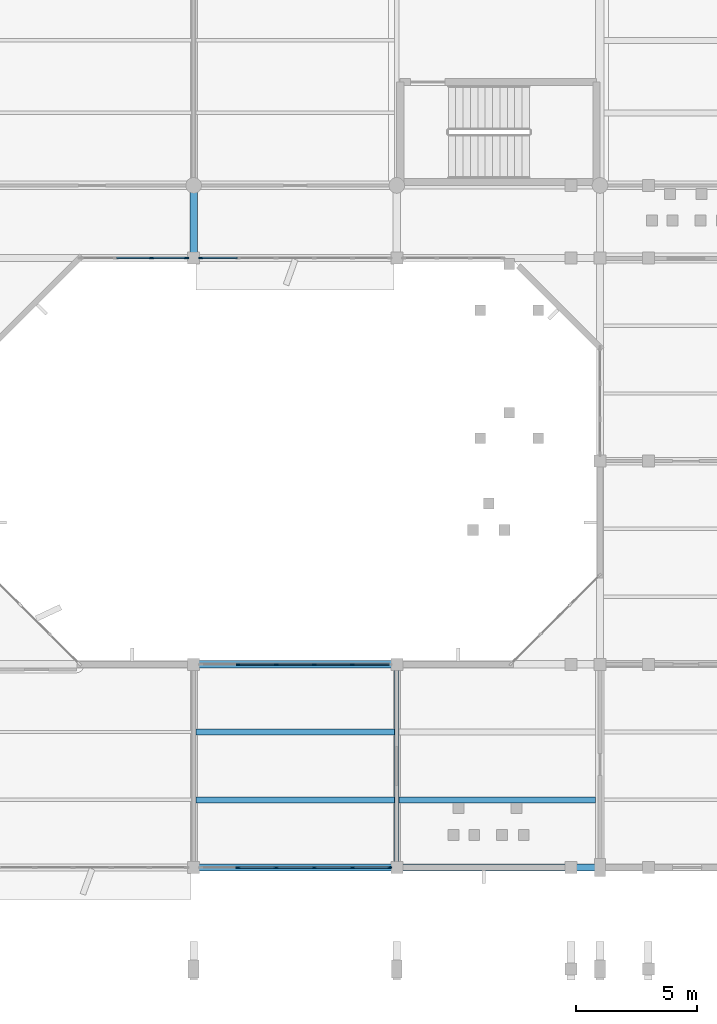
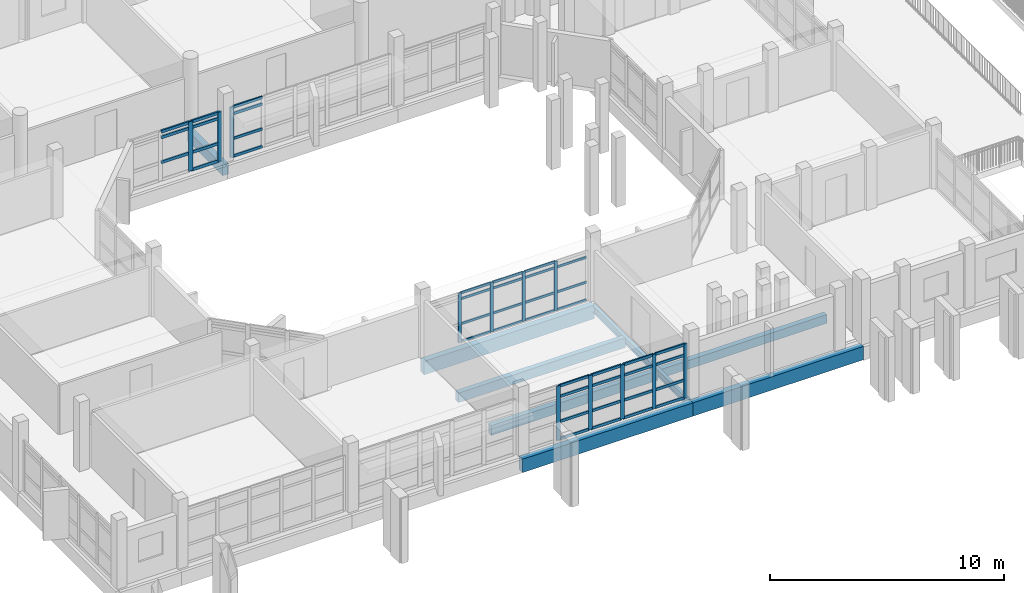
# One storey, part 18 of 104: 54 members, 8 beams, 4 elements without a shape of their own.
"""IFC4 building model written with IfcOpenShell, lengths in metres."""

from ifc_helpers import new_model, si_unit, direction, frame, origin, origin_2d, place, context, subcontext, project, spatial, rectangle, i_section, extrude, material, material_profile, profile_set, type_object, element, aggregate, save


model = new_model("IFC4")

# Units and contexts
model_context = context("Model", 3, precision=1e-05, world=origin(), true_north=direction((0.0, 1.0)))
body_context = subcontext(model_context, "Body", "Model", "MODEL_VIEW")
ifc_project = project(units=[si_unit("LENGTHUNIT", "METRE"), si_unit("AREAUNIT", "SQUARE_METRE"), si_unit("VOLUMEUNIT", "CUBIC_METRE"), si_unit("PLANEANGLEUNIT", "RADIAN"), si_unit("MASSUNIT", "GRAM", prefix="KILO")], contexts=[model_context])

# Site, building, storey
site_placement = place(None, origin())
site = spatial("IfcSite", under=ifc_project, at=site_placement, CompositionType="ELEMENT")
building_placement = place(site_placement, origin())
building = spatial("IfcBuilding", under=site, at=building_placement, Name="Vanh Quang Courtyard School", CompositionType="ELEMENT")
storey_placement = place(building_placement, frame((0.0, 0.0, 4.199951171875)))
storey = spatial("IfcBuildingStorey", under=building, at=storey_placement, Name="L01", CompositionType="ELEMENT", Elevation=4.199951171875)

# Beams
ifc_material_1 = material(Name="Concrete C35/45", Category="concrete")
ifc_material_profile_1 = material_profile(ifc_material_1, rectangle(XDim=0.300048828125, YDim=0.550048828125, at=origin_2d()), Name="RC-BM 300x550")
ifc_profile_set_1 = profile_set([ifc_material_profile_1], Name="Concrete C35/45")
beam_type_1 = type_object("IfcBeamType", Name="BM-RC-300x550", PredefinedType="BEAM", material=ifc_profile_set_1)
beam_1_placement = place(storey_placement, frame((94.199951171875, 29.39990234375, -0.554931640625), z_axis=(0.0, 1.0, 0.0), x_axis=(-1.0, 0.0, 0.0)))
element("IfcBeam", 1, at=beam_1_placement, inside=storey, type_object=beam_type_1, Name="Beam B-07 (L01)", PredefinedType="BEAM", context=body_context, shape_type="SweptSolid", body=[
    extrude(rectangle(XDim=0.300048828125, YDim=0.550048828125, at=origin_2d()), origin(), (0.0, 0.0, 1.0), 3.0),
])
ifc_material_profile_2 = material_profile(ifc_material_1, rectangle(XDim=0.300048828125, YDim=0.699951171875, at=origin_2d()), Name="RC-SP 300x700")
ifc_profile_set_2 = profile_set([ifc_material_profile_2], Name="Concrete C35/45")
beam_type_2 = type_object("IfcBeamType", Name="BM-SP-300x700", PredefinedType="SPANDREL", material=ifc_profile_set_2)
beam_2_placement = place(storey_placement, frame((94.199951171875, 4.199951171875, -0.6298828125), z_axis=(1.0, 0.0, 0.0), x_axis=(0.0, 1.0, 0.0)))
element("IfcBeam", 2, at=beam_2_placement, inside=storey, type_object=beam_type_2, Name="Beam BS-01 (L01)", PredefinedType="SPANDREL", context=body_context, shape_type="SweptSolid", body=[
    extrude(rectangle(XDim=0.300048828125, YDim=0.699951171875, at=origin_2d()), origin(), (0.0, 0.0, 1.0), 8.400146484375),
])
beam_3_placement = place(storey_placement, frame((102.60009765625, 4.199951171875, -0.6298828125), z_axis=(1.0, 0.0, 0.0), x_axis=(0.0, 1.0, 0.0)))
element("IfcBeam", 3, at=beam_3_placement, inside=storey, type_object=beam_type_2, Name="Beam BS-01 (L01)", PredefinedType="SPANDREL", context=body_context, shape_type="SweptSolid", body=[
    extrude(rectangle(XDim=0.300048828125, YDim=0.699951171875, at=origin_2d()), origin(), (0.0, 0.0, 1.0), 8.39990234375),
])
beam_4_placement = place(storey_placement, frame((94.199951171875, 12.60009765625, -0.6298828125), z_axis=(1.0, 0.0, 0.0), x_axis=(0.0, 1.0, 0.0)))
element("IfcBeam", 4, at=beam_4_placement, inside=storey, type_object=beam_type_2, Name="Beam BS-01 (L01)", PredefinedType="SPANDREL", context=body_context, shape_type="SweptSolid", body=[
    extrude(rectangle(XDim=0.300048828125, YDim=0.699951171875, at=origin_2d()), origin(), (0.0, 0.0, 1.0), 8.400146484375),
])
ifc_material_2 = material(Name="Structural steel EN 10025-2 S355J2", Category="steel")
ifc_material_profile_3 = material_profile(ifc_material_2, i_section(OverallWidth=0.169921875, OverallDepth=0.360107421875, WebThickness=0.008056640625, FlangeThickness=0.0126953125, FilletRadius=0.01806640625, at=origin_2d()), Name="IPE 360")
ifc_profile_set_3 = profile_set([ifc_material_profile_3], Name="Structural steel EN 10025-2 S355J2")
beam_type_3 = type_object("IfcBeamType", Name="BM-STL-IPE360", PredefinedType="BEAM", material=ifc_profile_set_3)
beam_5_placement = place(storey_placement, frame((102.60009765625, 4.199951171875, -0.4599609375), z_axis=(0.0, 1.0, 0.0), x_axis=(-1.0, 0.0, 0.0)))
element("IfcBeam", 5, at=beam_5_placement, inside=storey, type_object=beam_type_3, Name="Beam SB-06 (L01)", PredefinedType="BEAM", context=body_context, shape_type="SweptSolid", body=[
    extrude(i_section(OverallWidth=0.169921875, OverallDepth=0.360107421875, WebThickness=0.008056640625, FlangeThickness=0.0126953125, FilletRadius=0.01806640625, at=origin_2d()), origin(), (0.0, 0.0, 1.0), 8.400146484375),
])

# Curtain wall, members
ifc_material_3 = material(Name="Thermally broken aluminium unitised curtain wall", Category="aluminium")
curtain_wall_type_1 = type_object("IfcCurtainWallType", Name="CW-SYS-19", PredefinedType="NOTDEFINED", material=ifc_material_3)
curtain_wall_1_placement = place(storey_placement, origin())
curtain_wall_1 = element("IfcCurtainWall", 6, at=curtain_wall_1_placement, inside=storey, type_object=curtain_wall_type_1, Name="Curtain Wall CW-19 (L01)", PredefinedType="NOTDEFINED")
ifc_material_4 = material(Name="Anodised aluminium 6063-T6", Category="aluminium")
ifc_material_profile_4 = material_profile(ifc_material_4, rectangle(XDim=0.06005859375, YDim=0.159912109375, at=origin_2d()), Name="ALU-MUL 60x160")
ifc_profile_set_4 = profile_set([ifc_material_profile_4], Name="Anodised aluminium 6063-T6")
member_type_1 = type_object("IfcMemberType", Name="CW-MUL-60x160", PredefinedType="MULLION", material=ifc_profile_set_4)
member_1_placement = place(storey_placement, frame((96.034912109375, 12.60009765625, 0.0), z_axis=(0.0, 0.0, 1.0), x_axis=(0.0, 1.0, 0.0)))
member_1 = element("IfcMember", 7, at=member_1_placement, type_object=member_type_1, Name="CW-19 mullion 2", PredefinedType="MULLION", context=body_context, shape_type="SweptSolid", body=[
    extrude(rectangle(XDim=0.06005859375, YDim=0.159912109375, at=origin_2d()), origin(), (0.0, 0.0, 1.0), 2.580078125),
])
member_2_placement = place(storey_placement, frame((97.611572265625, 12.60009765625, 0.0), z_axis=(0.0, 0.0, 1.0), x_axis=(0.0, 1.0, 0.0)))
member_2 = element("IfcMember", 8, at=member_2_placement, type_object=member_type_1, Name="CW-19 mullion 3", PredefinedType="MULLION", context=body_context, shape_type="SweptSolid", body=[
    extrude(rectangle(XDim=0.06005859375, YDim=0.159912109375, at=origin_2d()), origin(), (0.0, 0.0, 1.0), 2.580078125),
])
member_3_placement = place(storey_placement, frame((99.1884765625, 12.60009765625, 0.0), z_axis=(0.0, 0.0, 1.0), x_axis=(0.0, 1.0, 0.0)))
member_3 = element("IfcMember", 9, at=member_3_placement, type_object=member_type_1, Name="CW-19 mullion 4", PredefinedType="MULLION", context=body_context, shape_type="SweptSolid", body=[
    extrude(rectangle(XDim=0.06005859375, YDim=0.159912109375, at=origin_2d()), origin(), (0.0, 0.0, 1.0), 2.580078125),
])
member_4_placement = place(storey_placement, frame((100.76513671875, 12.60009765625, 0.0), z_axis=(0.0, 0.0, 1.0), x_axis=(0.0, 1.0, 0.0)))
member_4 = element("IfcMember", 10, at=member_4_placement, type_object=member_type_1, Name="CW-19 mullion 5", PredefinedType="MULLION", context=body_context, shape_type="SweptSolid", body=[
    extrude(rectangle(XDim=0.06005859375, YDim=0.159912109375, at=origin_2d()), origin(), (0.0, 0.0, 1.0), 2.580078125),
])

curtain_wall_type_2 = type_object("IfcCurtainWallType", Name="CW-SYS-28", PredefinedType="NOTDEFINED", material=ifc_material_3)
curtain_wall_2_placement = place(storey_placement, origin())
curtain_wall_2 = element("IfcCurtainWall", 11, at=curtain_wall_2_placement, inside=storey, type_object=curtain_wall_type_2, Name="Curtain Wall CW-28 (L01)", PredefinedType="NOTDEFINED")
ifc_material_profile_5 = material_profile(ifc_material_4, rectangle(XDim=0.070068359375, YDim=0.179931640625, at=origin_2d()), Name="ALU-MUL 70x180")
ifc_profile_set_5 = profile_set([ifc_material_profile_5], Name="Anodised aluminium 6063-T6")
member_type_2 = type_object("IfcMemberType", Name="CW-MUL-70x180", PredefinedType="MULLION", material=ifc_profile_set_5)
member_5_placement = place(storey_placement, frame((102.306884765625, 4.199951171875, 0.0), z_axis=(0.0, 0.0, 1.0), x_axis=(0.0, -1.0, 0.0)))
member_5 = element("IfcMember", 12, at=member_5_placement, type_object=member_type_2, Name="CW-28 mullion 1", PredefinedType="MULLION", context=body_context, shape_type="SweptSolid", body=[
    extrude(rectangle(XDim=0.070068359375, YDim=0.179931640625, at=origin_2d()), origin(), (0.0, 0.0, 1.0), 2.830078125),
])
member_6_placement = place(storey_placement, frame((100.76513671875, 4.199951171875, 0.0), z_axis=(0.0, 0.0, 1.0), x_axis=(0.0, -1.0, 0.0)))
member_6 = element("IfcMember", 13, at=member_6_placement, type_object=member_type_2, Name="CW-28 mullion 2", PredefinedType="MULLION", context=body_context, shape_type="SweptSolid", body=[
    extrude(rectangle(XDim=0.070068359375, YDim=0.179931640625, at=origin_2d()), origin(), (0.0, 0.0, 1.0), 2.830078125),
])
member_7_placement = place(storey_placement, frame((99.1884765625, 4.199951171875, 0.0), z_axis=(0.0, 0.0, 1.0), x_axis=(0.0, -1.0, 0.0)))
member_7 = element("IfcMember", 14, at=member_7_placement, type_object=member_type_2, Name="CW-28 mullion 3", PredefinedType="MULLION", context=body_context, shape_type="SweptSolid", body=[
    extrude(rectangle(XDim=0.070068359375, YDim=0.179931640625, at=origin_2d()), origin(), (0.0, 0.0, 1.0), 2.830078125),
])
member_8_placement = place(storey_placement, frame((97.611572265625, 4.199951171875, 0.0), z_axis=(0.0, 0.0, 1.0), x_axis=(0.0, -1.0, 0.0)))
member_8 = element("IfcMember", 15, at=member_8_placement, type_object=member_type_2, Name="CW-28 mullion 4", PredefinedType="MULLION", context=body_context, shape_type="SweptSolid", body=[
    extrude(rectangle(XDim=0.070068359375, YDim=0.179931640625, at=origin_2d()), origin(), (0.0, 0.0, 1.0), 2.830078125),
])
member_9_placement = place(storey_placement, frame((96.034912109375, 4.199951171875, 0.0), z_axis=(0.0, 0.0, 1.0), x_axis=(0.0, -1.0, 0.0)))
member_9 = element("IfcMember", 16, at=member_9_placement, type_object=member_type_2, Name="CW-28 mullion 5", PredefinedType="MULLION", context=body_context, shape_type="SweptSolid", body=[
    extrude(rectangle(XDim=0.070068359375, YDim=0.179931640625, at=origin_2d()), origin(), (0.0, 0.0, 1.0), 2.830078125),
])

# Curtain wall, member
curtain_wall_3_placement = place(storey_placement, origin())
curtain_wall_3 = element("IfcCurtainWall", 17, at=curtain_wall_3_placement, inside=storey, type_object=curtain_wall_type_1, Name="Curtain Wall CW-19 (L01)", PredefinedType="NOTDEFINED")
member_10_placement = place(storey_placement, frame((94.492919921875, 29.39990234375, 0.0), z_axis=(0.0, 0.0, 1.0), x_axis=(0.0, -1.0, 0.0)))
member_10 = element("IfcMember", 18, at=member_10_placement, type_object=member_type_2, Name="CW-19 mullion 6", PredefinedType="MULLION", context=body_context, shape_type="SweptSolid", body=[
    extrude(rectangle(XDim=0.070068359375, YDim=0.179931640625, at=origin_2d()), origin(), (0.0, 0.0, 1.0), 2.6201171875),
])

# Curtain wall, members
curtain_wall_type_3 = type_object("IfcCurtainWallType", Name="CW-SYS-38", PredefinedType="NOTDEFINED", material=ifc_material_3)
curtain_wall_4_placement = place(storey_placement, origin())
curtain_wall_4 = element("IfcCurtainWall", 19, at=curtain_wall_4_placement, inside=storey, type_object=curtain_wall_type_3, Name="Curtain Wall CW-38 (L01)", PredefinedType="NOTDEFINED")
ifc_material_profile_6 = material_profile(ifc_material_4, rectangle(XDim=0.080078125, YDim=0.199951171875, at=origin_2d()), Name="ALU-MUL 80x200")
ifc_profile_set_6 = profile_set([ifc_material_profile_6], Name="Anodised aluminium 6063-T6")
member_type_3 = type_object("IfcMemberType", Name="CW-MUL-80x200", PredefinedType="MULLION", material=ifc_profile_set_6)
member_11_placement = place(storey_placement, frame((93.902099609375, 29.39990234375, 0.0), z_axis=(0.0, 0.0, 1.0), x_axis=(0.0, -1.0, 0.0)))
member_11 = element("IfcMember", 20, at=member_11_placement, type_object=member_type_3, Name="CW-38 mullion 1", PredefinedType="MULLION", context=body_context, shape_type="SweptSolid", body=[
    extrude(rectangle(XDim=0.080078125, YDim=0.199951171875, at=origin_2d()), origin(), (0.0, 0.0, 1.0), 2.580078125),
])
member_12_placement = place(storey_placement, frame((92.4599609375, 29.39990234375, 0.0), z_axis=(0.0, 0.0, 1.0), x_axis=(0.0, -1.0, 0.0)))
member_12 = element("IfcMember", 21, at=member_12_placement, type_object=member_type_3, Name="CW-38 mullion 2", PredefinedType="MULLION", context=body_context, shape_type="SweptSolid", body=[
    extrude(rectangle(XDim=0.080078125, YDim=0.199951171875, at=origin_2d()), origin(), (0.0, 0.0, 1.0), 2.580078125),
])

# Member
ifc_material_profile_7 = material_profile(ifc_material_4, rectangle(XDim=0.06005859375, YDim=0.1201171875, at=origin_2d()), Name="ALU-TRN 60x120")
ifc_profile_set_7 = profile_set([ifc_material_profile_7], Name="Anodised aluminium 6063-T6")
member_type_4 = type_object("IfcMemberType", Name="CW-TRN-60x120", PredefinedType="USERDEFINED", material=ifc_profile_set_7)
member_13_placement = place(storey_placement, frame((96.064697265625, 12.60009765625, 0.030029296875), z_axis=(1.0, 0.0, 0.0), x_axis=(0.0, 1.0, 0.0)))
member_13 = element("IfcMember", 22, at=member_13_placement, type_object=member_type_4, Name="CW-19 transom 2.1", ObjectType="TRANSOM", PredefinedType="USERDEFINED", context=body_context, shape_type="SweptSolid", body=[
    extrude(rectangle(XDim=0.06005859375, YDim=0.1201171875, at=origin_2d()), origin(), (0.0, 0.0, 1.0), 1.516845703125),
])

member_14_placement = place(storey_placement, frame((96.064697265625, 12.60009765625, 0.949951171875), z_axis=(1.0, 0.0, 0.0), x_axis=(0.0, 1.0, 0.0)))
member_14 = element("IfcMember", 23, at=member_14_placement, type_object=member_type_4, Name="CW-19 transom 2.2", ObjectType="TRANSOM", PredefinedType="USERDEFINED", context=body_context, shape_type="SweptSolid", body=[
    extrude(rectangle(XDim=0.06005859375, YDim=0.1201171875, at=origin_2d()), origin(), (0.0, 0.0, 1.0), 1.516845703125),
])

member_15_placement = place(storey_placement, frame((96.064697265625, 12.60009765625, 2.25), z_axis=(1.0, 0.0, 0.0), x_axis=(0.0, 1.0, 0.0)))
member_15 = element("IfcMember", 24, at=member_15_placement, type_object=member_type_4, Name="CW-19 transom 2.3", ObjectType="TRANSOM", PredefinedType="USERDEFINED", context=body_context, shape_type="SweptSolid", body=[
    extrude(rectangle(XDim=0.06005859375, YDim=0.1201171875, at=origin_2d()), origin(), (0.0, 0.0, 1.0), 1.516845703125),
])

member_16_placement = place(storey_placement, frame((96.064697265625, 12.60009765625, 2.550048828125), z_axis=(1.0, 0.0, 0.0), x_axis=(0.0, 1.0, 0.0)))
member_16 = element("IfcMember", 25, at=member_16_placement, type_object=member_type_4, Name="CW-19 transom 2.4", ObjectType="TRANSOM", PredefinedType="USERDEFINED", context=body_context, shape_type="SweptSolid", body=[
    extrude(rectangle(XDim=0.06005859375, YDim=0.1201171875, at=origin_2d()), origin(), (0.0, 0.0, 1.0), 1.516845703125),
])

member_17_placement = place(storey_placement, frame((97.6416015625, 12.60009765625, 0.030029296875), z_axis=(1.0, 0.0, 0.0), x_axis=(0.0, 1.0, 0.0)))
member_17 = element("IfcMember", 26, at=member_17_placement, type_object=member_type_4, Name="CW-19 transom 3.1", ObjectType="TRANSOM", PredefinedType="USERDEFINED", context=body_context, shape_type="SweptSolid", body=[
    extrude(rectangle(XDim=0.06005859375, YDim=0.1201171875, at=origin_2d()), origin(), (0.0, 0.0, 1.0), 1.516845703125),
])

member_18_placement = place(storey_placement, frame((97.6416015625, 12.60009765625, 0.949951171875), z_axis=(1.0, 0.0, 0.0), x_axis=(0.0, 1.0, 0.0)))
member_18 = element("IfcMember", 27, at=member_18_placement, type_object=member_type_4, Name="CW-19 transom 3.2", ObjectType="TRANSOM", PredefinedType="USERDEFINED", context=body_context, shape_type="SweptSolid", body=[
    extrude(rectangle(XDim=0.06005859375, YDim=0.1201171875, at=origin_2d()), origin(), (0.0, 0.0, 1.0), 1.516845703125),
])

member_19_placement = place(storey_placement, frame((97.6416015625, 12.60009765625, 2.25), z_axis=(1.0, 0.0, 0.0), x_axis=(0.0, 1.0, 0.0)))
member_19 = element("IfcMember", 28, at=member_19_placement, type_object=member_type_4, Name="CW-19 transom 3.3", ObjectType="TRANSOM", PredefinedType="USERDEFINED", context=body_context, shape_type="SweptSolid", body=[
    extrude(rectangle(XDim=0.06005859375, YDim=0.1201171875, at=origin_2d()), origin(), (0.0, 0.0, 1.0), 1.516845703125),
])

member_20_placement = place(storey_placement, frame((97.6416015625, 12.60009765625, 2.550048828125), z_axis=(1.0, 0.0, 0.0), x_axis=(0.0, 1.0, 0.0)))
member_20 = element("IfcMember", 29, at=member_20_placement, type_object=member_type_4, Name="CW-19 transom 3.4", ObjectType="TRANSOM", PredefinedType="USERDEFINED", context=body_context, shape_type="SweptSolid", body=[
    extrude(rectangle(XDim=0.06005859375, YDim=0.1201171875, at=origin_2d()), origin(), (0.0, 0.0, 1.0), 1.516845703125),
])

member_21_placement = place(storey_placement, frame((99.218505859375, 12.60009765625, 0.030029296875), z_axis=(1.0, 0.0, 0.0), x_axis=(0.0, 1.0, 0.0)))
member_21 = element("IfcMember", 30, at=member_21_placement, type_object=member_type_4, Name="CW-19 transom 4.1", ObjectType="TRANSOM", PredefinedType="USERDEFINED", context=body_context, shape_type="SweptSolid", body=[
    extrude(rectangle(XDim=0.06005859375, YDim=0.1201171875, at=origin_2d()), origin(), (0.0, 0.0, 1.0), 1.5166015625),
])

member_22_placement = place(storey_placement, frame((99.218505859375, 12.60009765625, 0.949951171875), z_axis=(1.0, 0.0, 0.0), x_axis=(0.0, 1.0, 0.0)))
member_22 = element("IfcMember", 31, at=member_22_placement, type_object=member_type_4, Name="CW-19 transom 4.2", ObjectType="TRANSOM", PredefinedType="USERDEFINED", context=body_context, shape_type="SweptSolid", body=[
    extrude(rectangle(XDim=0.06005859375, YDim=0.1201171875, at=origin_2d()), origin(), (0.0, 0.0, 1.0), 1.5166015625),
])

member_23_placement = place(storey_placement, frame((99.218505859375, 12.60009765625, 2.25), z_axis=(1.0, 0.0, 0.0), x_axis=(0.0, 1.0, 0.0)))
member_23 = element("IfcMember", 32, at=member_23_placement, type_object=member_type_4, Name="CW-19 transom 4.3", ObjectType="TRANSOM", PredefinedType="USERDEFINED", context=body_context, shape_type="SweptSolid", body=[
    extrude(rectangle(XDim=0.06005859375, YDim=0.1201171875, at=origin_2d()), origin(), (0.0, 0.0, 1.0), 1.5166015625),
])

member_24_placement = place(storey_placement, frame((99.218505859375, 12.60009765625, 2.550048828125), z_axis=(1.0, 0.0, 0.0), x_axis=(0.0, 1.0, 0.0)))
member_24 = element("IfcMember", 33, at=member_24_placement, type_object=member_type_4, Name="CW-19 transom 4.4", ObjectType="TRANSOM", PredefinedType="USERDEFINED", context=body_context, shape_type="SweptSolid", body=[
    extrude(rectangle(XDim=0.06005859375, YDim=0.1201171875, at=origin_2d()), origin(), (0.0, 0.0, 1.0), 1.5166015625),
])

member_25_placement = place(storey_placement, frame((100.795166015625, 12.60009765625, 0.030029296875), z_axis=(1.0, 0.0, 0.0), x_axis=(0.0, 1.0, 0.0)))
member_25 = element("IfcMember", 34, at=member_25_placement, type_object=member_type_4, Name="CW-19 transom 5.1", ObjectType="TRANSOM", PredefinedType="USERDEFINED", context=body_context, shape_type="SweptSolid", body=[
    extrude(rectangle(XDim=0.06005859375, YDim=0.1201171875, at=origin_2d()), origin(), (0.0, 0.0, 1.0), 1.48681640625),
])

member_26_placement = place(storey_placement, frame((100.795166015625, 12.60009765625, 0.949951171875), z_axis=(1.0, 0.0, 0.0), x_axis=(0.0, 1.0, 0.0)))
member_26 = element("IfcMember", 35, at=member_26_placement, type_object=member_type_4, Name="CW-19 transom 5.2", ObjectType="TRANSOM", PredefinedType="USERDEFINED", context=body_context, shape_type="SweptSolid", body=[
    extrude(rectangle(XDim=0.06005859375, YDim=0.1201171875, at=origin_2d()), origin(), (0.0, 0.0, 1.0), 1.48681640625),
])

member_27_placement = place(storey_placement, frame((100.795166015625, 12.60009765625, 2.25), z_axis=(1.0, 0.0, 0.0), x_axis=(0.0, 1.0, 0.0)))
member_27 = element("IfcMember", 36, at=member_27_placement, type_object=member_type_4, Name="CW-19 transom 5.3", ObjectType="TRANSOM", PredefinedType="USERDEFINED", context=body_context, shape_type="SweptSolid", body=[
    extrude(rectangle(XDim=0.06005859375, YDim=0.1201171875, at=origin_2d()), origin(), (0.0, 0.0, 1.0), 1.48681640625),
])

aggregate(curtain_wall_1, [member_1, member_2, member_3, member_4, member_13, member_14, member_15, member_16, member_17, member_18, member_19, member_20, member_21, member_22, member_23, member_24, member_25, member_26, member_27])

ifc_material_profile_8 = material_profile(ifc_material_4, rectangle(XDim=0.070068359375, YDim=0.139892578125, at=origin_2d()), Name="ALU-TRN 70x140")
ifc_profile_set_8 = profile_set([ifc_material_profile_8], Name="Anodised aluminium 6063-T6")
member_type_5 = type_object("IfcMemberType", Name="CW-TRN-70x140", PredefinedType="USERDEFINED", material=ifc_profile_set_8)
member_28_placement = place(storey_placement, frame((102.27197265625, 4.199951171875, 0.03515625), z_axis=(-1.0, 0.0, 0.0), x_axis=(0.0, -1.0, 0.0)))
member_28 = element("IfcMember", 37, at=member_28_placement, type_object=member_type_5, Name="CW-28 transom 1.1", ObjectType="TRANSOM", PredefinedType="USERDEFINED", context=body_context, shape_type="SweptSolid", body=[
    extrude(rectangle(XDim=0.070068359375, YDim=0.139892578125, at=origin_2d()), origin(), (0.0, 0.0, 1.0), 1.4716796875),
])

member_29_placement = place(storey_placement, frame((102.27197265625, 4.199951171875, 0.949951171875), z_axis=(-1.0, 0.0, 0.0), x_axis=(0.0, -1.0, 0.0)))
member_29 = element("IfcMember", 38, at=member_29_placement, type_object=member_type_5, Name="CW-28 transom 1.2", ObjectType="TRANSOM", PredefinedType="USERDEFINED", context=body_context, shape_type="SweptSolid", body=[
    extrude(rectangle(XDim=0.070068359375, YDim=0.139892578125, at=origin_2d()), origin(), (0.0, 0.0, 1.0), 1.4716796875),
])

member_30_placement = place(storey_placement, frame((102.27197265625, 4.199951171875, 2.25), z_axis=(-1.0, 0.0, 0.0), x_axis=(0.0, -1.0, 0.0)))
member_30 = element("IfcMember", 39, at=member_30_placement, type_object=member_type_5, Name="CW-28 transom 1.3", ObjectType="TRANSOM", PredefinedType="USERDEFINED", context=body_context, shape_type="SweptSolid", body=[
    extrude(rectangle(XDim=0.070068359375, YDim=0.139892578125, at=origin_2d()), origin(), (0.0, 0.0, 1.0), 1.4716796875),
])

member_31_placement = place(storey_placement, frame((102.27197265625, 4.199951171875, 2.795166015625), z_axis=(-1.0, 0.0, 0.0), x_axis=(0.0, -1.0, 0.0)))
member_31 = element("IfcMember", 40, at=member_31_placement, type_object=member_type_5, Name="CW-28 transom 1.4", ObjectType="TRANSOM", PredefinedType="USERDEFINED", context=body_context, shape_type="SweptSolid", body=[
    extrude(rectangle(XDim=0.070068359375, YDim=0.139892578125, at=origin_2d()), origin(), (0.0, 0.0, 1.0), 1.4716796875),
])

member_32_placement = place(storey_placement, frame((100.730224609375, 4.199951171875, 0.03515625), z_axis=(-1.0, 0.0, 0.0), x_axis=(0.0, -1.0, 0.0)))
member_32 = element("IfcMember", 41, at=member_32_placement, type_object=member_type_5, Name="CW-28 transom 2.1", ObjectType="TRANSOM", PredefinedType="USERDEFINED", context=body_context, shape_type="SweptSolid", body=[
    extrude(rectangle(XDim=0.070068359375, YDim=0.139892578125, at=origin_2d()), origin(), (0.0, 0.0, 1.0), 1.5068359375),
])

member_33_placement = place(storey_placement, frame((100.730224609375, 4.199951171875, 0.949951171875), z_axis=(-1.0, 0.0, 0.0), x_axis=(0.0, -1.0, 0.0)))
member_33 = element("IfcMember", 42, at=member_33_placement, type_object=member_type_5, Name="CW-28 transom 2.2", ObjectType="TRANSOM", PredefinedType="USERDEFINED", context=body_context, shape_type="SweptSolid", body=[
    extrude(rectangle(XDim=0.070068359375, YDim=0.139892578125, at=origin_2d()), origin(), (0.0, 0.0, 1.0), 1.5068359375),
])

member_34_placement = place(storey_placement, frame((100.730224609375, 4.199951171875, 2.25), z_axis=(-1.0, 0.0, 0.0), x_axis=(0.0, -1.0, 0.0)))
member_34 = element("IfcMember", 43, at=member_34_placement, type_object=member_type_5, Name="CW-28 transom 2.3", ObjectType="TRANSOM", PredefinedType="USERDEFINED", context=body_context, shape_type="SweptSolid", body=[
    extrude(rectangle(XDim=0.070068359375, YDim=0.139892578125, at=origin_2d()), origin(), (0.0, 0.0, 1.0), 1.5068359375),
])

member_35_placement = place(storey_placement, frame((100.730224609375, 4.199951171875, 2.795166015625), z_axis=(-1.0, 0.0, 0.0), x_axis=(0.0, -1.0, 0.0)))
member_35 = element("IfcMember", 44, at=member_35_placement, type_object=member_type_5, Name="CW-28 transom 2.4", ObjectType="TRANSOM", PredefinedType="USERDEFINED", context=body_context, shape_type="SweptSolid", body=[
    extrude(rectangle(XDim=0.070068359375, YDim=0.139892578125, at=origin_2d()), origin(), (0.0, 0.0, 1.0), 1.5068359375),
])

member_36_placement = place(storey_placement, frame((99.1533203125, 4.199951171875, 0.03515625), z_axis=(-1.0, 0.0, 0.0), x_axis=(0.0, -1.0, 0.0)))
member_36 = element("IfcMember", 45, at=member_36_placement, type_object=member_type_5, Name="CW-28 transom 3.1", ObjectType="TRANSOM", PredefinedType="USERDEFINED", context=body_context, shape_type="SweptSolid", body=[
    extrude(rectangle(XDim=0.070068359375, YDim=0.139892578125, at=origin_2d()), origin(), (0.0, 0.0, 1.0), 1.5068359375),
])

member_37_placement = place(storey_placement, frame((99.1533203125, 4.199951171875, 0.949951171875), z_axis=(-1.0, 0.0, 0.0), x_axis=(0.0, -1.0, 0.0)))
member_37 = element("IfcMember", 46, at=member_37_placement, type_object=member_type_5, Name="CW-28 transom 3.2", ObjectType="TRANSOM", PredefinedType="USERDEFINED", context=body_context, shape_type="SweptSolid", body=[
    extrude(rectangle(XDim=0.070068359375, YDim=0.139892578125, at=origin_2d()), origin(), (0.0, 0.0, 1.0), 1.5068359375),
])

member_38_placement = place(storey_placement, frame((99.1533203125, 4.199951171875, 2.25), z_axis=(-1.0, 0.0, 0.0), x_axis=(0.0, -1.0, 0.0)))
member_38 = element("IfcMember", 47, at=member_38_placement, type_object=member_type_5, Name="CW-28 transom 3.3", ObjectType="TRANSOM", PredefinedType="USERDEFINED", context=body_context, shape_type="SweptSolid", body=[
    extrude(rectangle(XDim=0.070068359375, YDim=0.139892578125, at=origin_2d()), origin(), (0.0, 0.0, 1.0), 1.5068359375),
])

member_39_placement = place(storey_placement, frame((99.1533203125, 4.199951171875, 2.795166015625), z_axis=(-1.0, 0.0, 0.0), x_axis=(0.0, -1.0, 0.0)))
member_39 = element("IfcMember", 48, at=member_39_placement, type_object=member_type_5, Name="CW-28 transom 3.4", ObjectType="TRANSOM", PredefinedType="USERDEFINED", context=body_context, shape_type="SweptSolid", body=[
    extrude(rectangle(XDim=0.070068359375, YDim=0.139892578125, at=origin_2d()), origin(), (0.0, 0.0, 1.0), 1.5068359375),
])

member_40_placement = place(storey_placement, frame((97.57666015625, 4.199951171875, 0.03515625), z_axis=(-1.0, 0.0, 0.0), x_axis=(0.0, -1.0, 0.0)))
member_40 = element("IfcMember", 49, at=member_40_placement, type_object=member_type_5, Name="CW-28 transom 4.1", ObjectType="TRANSOM", PredefinedType="USERDEFINED", context=body_context, shape_type="SweptSolid", body=[
    extrude(rectangle(XDim=0.070068359375, YDim=0.139892578125, at=origin_2d()), origin(), (0.0, 0.0, 1.0), 1.5068359375),
])

member_41_placement = place(storey_placement, frame((97.57666015625, 4.199951171875, 0.949951171875), z_axis=(-1.0, 0.0, 0.0), x_axis=(0.0, -1.0, 0.0)))
member_41 = element("IfcMember", 50, at=member_41_placement, type_object=member_type_5, Name="CW-28 transom 4.2", ObjectType="TRANSOM", PredefinedType="USERDEFINED", context=body_context, shape_type="SweptSolid", body=[
    extrude(rectangle(XDim=0.070068359375, YDim=0.139892578125, at=origin_2d()), origin(), (0.0, 0.0, 1.0), 1.5068359375),
])

member_42_placement = place(storey_placement, frame((97.57666015625, 4.199951171875, 2.25), z_axis=(-1.0, 0.0, 0.0), x_axis=(0.0, -1.0, 0.0)))
member_42 = element("IfcMember", 51, at=member_42_placement, type_object=member_type_5, Name="CW-28 transom 4.3", ObjectType="TRANSOM", PredefinedType="USERDEFINED", context=body_context, shape_type="SweptSolid", body=[
    extrude(rectangle(XDim=0.070068359375, YDim=0.139892578125, at=origin_2d()), origin(), (0.0, 0.0, 1.0), 1.5068359375),
])

member_43_placement = place(storey_placement, frame((97.57666015625, 4.199951171875, 2.795166015625), z_axis=(-1.0, 0.0, 0.0), x_axis=(0.0, -1.0, 0.0)))
member_43 = element("IfcMember", 52, at=member_43_placement, type_object=member_type_5, Name="CW-28 transom 4.4", ObjectType="TRANSOM", PredefinedType="USERDEFINED", context=body_context, shape_type="SweptSolid", body=[
    extrude(rectangle(XDim=0.070068359375, YDim=0.139892578125, at=origin_2d()), origin(), (0.0, 0.0, 1.0), 1.5068359375),
])

aggregate(curtain_wall_2, [member_5, member_6, member_7, member_8, member_9, member_28, member_29, member_30, member_31, member_32, member_33, member_34, member_35, member_36, member_37, member_38, member_39, member_40, member_41, member_42, member_43])

member_44_placement = place(storey_placement, frame((95.999755859375, 29.39990234375, 0.03515625), z_axis=(-1.0, 0.0, 0.0), x_axis=(0.0, -1.0, 0.0)))
member_44 = element("IfcMember", 53, at=member_44_placement, type_object=member_type_5, Name="CW-19 transom 5.1", ObjectType="TRANSOM", PredefinedType="USERDEFINED", context=body_context, shape_type="SweptSolid", body=[
    extrude(rectangle(XDim=0.070068359375, YDim=0.139892578125, at=origin_2d()), origin(), (0.0, 0.0, 1.0), 1.4716796875),
])

member_45_placement = place(storey_placement, frame((95.999755859375, 29.39990234375, 0.949951171875), z_axis=(-1.0, 0.0, 0.0), x_axis=(0.0, -1.0, 0.0)))
member_45 = element("IfcMember", 54, at=member_45_placement, type_object=member_type_5, Name="CW-19 transom 5.2", ObjectType="TRANSOM", PredefinedType="USERDEFINED", context=body_context, shape_type="SweptSolid", body=[
    extrude(rectangle(XDim=0.070068359375, YDim=0.139892578125, at=origin_2d()), origin(), (0.0, 0.0, 1.0), 1.4716796875),
])

member_46_placement = place(storey_placement, frame((95.999755859375, 29.39990234375, 2.25), z_axis=(-1.0, 0.0, 0.0), x_axis=(0.0, -1.0, 0.0)))
member_46 = element("IfcMember", 55, at=member_46_placement, type_object=member_type_5, Name="CW-19 transom 5.3", ObjectType="TRANSOM", PredefinedType="USERDEFINED", context=body_context, shape_type="SweptSolid", body=[
    extrude(rectangle(XDim=0.070068359375, YDim=0.139892578125, at=origin_2d()), origin(), (0.0, 0.0, 1.0), 1.4716796875),
])

member_47_placement = place(storey_placement, frame((95.999755859375, 29.39990234375, 2.5849609375), z_axis=(-1.0, 0.0, 0.0), x_axis=(0.0, -1.0, 0.0)))
member_47 = element("IfcMember", 56, at=member_47_placement, type_object=member_type_5, Name="CW-19 transom 5.4", ObjectType="TRANSOM", PredefinedType="USERDEFINED", context=body_context, shape_type="SweptSolid", body=[
    extrude(rectangle(XDim=0.070068359375, YDim=0.139892578125, at=origin_2d()), origin(), (0.0, 0.0, 1.0), 1.4716796875),
])

aggregate(curtain_wall_3, [member_10, member_44, member_45, member_46, member_47])

ifc_material_profile_9 = material_profile(ifc_material_4, rectangle(XDim=0.080078125, YDim=0.14990234375, at=origin_2d()), Name="ALU-TRN 80x150")
ifc_profile_set_9 = profile_set([ifc_material_profile_9], Name="Anodised aluminium 6063-T6")
member_type_6 = type_object("IfcMemberType", Name="CW-TRN-80x150", PredefinedType="USERDEFINED", material=ifc_profile_set_9)
member_48_placement = place(storey_placement, frame((93.862060546875, 29.39990234375, 0.0400390625), z_axis=(-1.0, 0.0, 0.0), x_axis=(0.0, -1.0, 0.0)))
member_48 = element("IfcMember", 57, at=member_48_placement, type_object=member_type_6, Name="CW-38 transom 1.1", ObjectType="TRANSOM", PredefinedType="USERDEFINED", context=body_context, shape_type="SweptSolid", body=[
    extrude(rectangle(XDim=0.080078125, YDim=0.14990234375, at=origin_2d()), origin(), (0.0, 0.0, 1.0), 1.362060546875),
])

member_49_placement = place(storey_placement, frame((93.862060546875, 29.39990234375, 0.949951171875), z_axis=(-1.0, 0.0, 0.0), x_axis=(0.0, -1.0, 0.0)))
member_49 = element("IfcMember", 58, at=member_49_placement, type_object=member_type_6, Name="CW-38 transom 1.2", ObjectType="TRANSOM", PredefinedType="USERDEFINED", context=body_context, shape_type="SweptSolid", body=[
    extrude(rectangle(XDim=0.080078125, YDim=0.14990234375, at=origin_2d()), origin(), (0.0, 0.0, 1.0), 1.362060546875),
])

member_50_placement = place(storey_placement, frame((93.862060546875, 29.39990234375, 2.25), z_axis=(-1.0, 0.0, 0.0), x_axis=(0.0, -1.0, 0.0)))
member_50 = element("IfcMember", 59, at=member_50_placement, type_object=member_type_6, Name="CW-38 transom 1.3", ObjectType="TRANSOM", PredefinedType="USERDEFINED", context=body_context, shape_type="SweptSolid", body=[
    extrude(rectangle(XDim=0.080078125, YDim=0.14990234375, at=origin_2d()), origin(), (0.0, 0.0, 1.0), 1.362060546875),
])

member_51_placement = place(storey_placement, frame((93.862060546875, 29.39990234375, 2.5400390625), z_axis=(-1.0, 0.0, 0.0), x_axis=(0.0, -1.0, 0.0)))
member_51 = element("IfcMember", 60, at=member_51_placement, type_object=member_type_6, Name="CW-38 transom 1.4", ObjectType="TRANSOM", PredefinedType="USERDEFINED", context=body_context, shape_type="SweptSolid", body=[
    extrude(rectangle(XDim=0.080078125, YDim=0.14990234375, at=origin_2d()), origin(), (0.0, 0.0, 1.0), 1.362060546875),
])

member_52_placement = place(storey_placement, frame((92.419921875, 29.39990234375, 0.949951171875), z_axis=(-1.0, 0.0, 0.0), x_axis=(0.0, -1.0, 0.0)))
member_52 = element("IfcMember", 61, at=member_52_placement, type_object=member_type_6, Name="CW-38 transom 2.2", ObjectType="TRANSOM", PredefinedType="USERDEFINED", context=body_context, shape_type="SweptSolid", body=[
    extrude(rectangle(XDim=0.080078125, YDim=0.14990234375, at=origin_2d()), origin(), (0.0, 0.0, 1.0), 1.40185546875),
])

member_53_placement = place(storey_placement, frame((92.419921875, 29.39990234375, 2.25), z_axis=(-1.0, 0.0, 0.0), x_axis=(0.0, -1.0, 0.0)))
member_53 = element("IfcMember", 62, at=member_53_placement, type_object=member_type_6, Name="CW-38 transom 2.3", ObjectType="TRANSOM", PredefinedType="USERDEFINED", context=body_context, shape_type="SweptSolid", body=[
    extrude(rectangle(XDim=0.080078125, YDim=0.14990234375, at=origin_2d()), origin(), (0.0, 0.0, 1.0), 1.40185546875),
])

member_54_placement = place(storey_placement, frame((92.419921875, 29.39990234375, 2.5400390625), z_axis=(-1.0, 0.0, 0.0), x_axis=(0.0, -1.0, 0.0)))
member_54 = element("IfcMember", 63, at=member_54_placement, type_object=member_type_6, Name="CW-38 transom 2.4", ObjectType="TRANSOM", PredefinedType="USERDEFINED", context=body_context, shape_type="SweptSolid", body=[
    extrude(rectangle(XDim=0.080078125, YDim=0.14990234375, at=origin_2d()), origin(), (0.0, 0.0, 1.0), 1.40185546875),
])

aggregate(curtain_wall_4, [member_11, member_12, member_48, member_49, member_50, member_51, member_52, member_53, member_54])

# Beams
ifc_material_5 = material(Name="Concrete C30/37", Category="concrete")
ifc_material_profile_10 = material_profile(ifc_material_5, rectangle(XDim=0.25, YDim=0.449951171875, at=origin_2d()), Name="RC-JST 250x450")
ifc_profile_set_10 = profile_set([ifc_material_profile_10], Name="Concrete C30/37")
beam_type_4 = type_object("IfcBeamType", Name="JST-RC-250x450", PredefinedType="JOIST", material=ifc_profile_set_10)
beam_6_placement = place(storey_placement, frame((102.68505859375, 7.0, -0.5048828125), z_axis=(1.0, 0.0, 0.0), x_axis=(0.0, 1.0, 0.0)))
element("IfcBeam", 64, at=beam_6_placement, inside=storey, type_object=beam_type_4, Name="Beam BJ-02 (L01)", PredefinedType="JOIST", context=body_context, shape_type="SweptSolid", body=[
    extrude(rectangle(XDim=0.25, YDim=0.449951171875, at=origin_2d()), origin(), (0.0, 0.0, 1.0), 8.139892578125),
])
ifc_material_profile_11 = material_profile(ifc_material_5, rectangle(XDim=0.25, YDim=0.5, at=origin_2d()), Name="RC-JST 250x500")
ifc_profile_set_11 = profile_set([ifc_material_profile_11], Name="Concrete C30/37")
beam_type_5 = type_object("IfcBeamType", Name="JST-RC-250x500", PredefinedType="JOIST", material=ifc_profile_set_11)
for number, where, z_axis, x_axis, name in (
    (65, (94.2900390625, 7.0, -0.530029296875), (1.0, 0.0, 0.0), (0.0, 1.0, 0.0), "Beam BJ-01 (L01)"),
    (66, (94.2900390625, 9.800048828125, -0.530029296875), (1.0, 0.0, 0.0), (0.0, 1.0, 0.0), "Beam BJ-01 (L01)"),
):
    element("IfcBeam", number, at=place(storey_placement, frame(where, z_axis=z_axis, x_axis=x_axis)), inside=storey, type_object=beam_type_5, Name=name, PredefinedType="JOIST", context=body_context, shape_type="SweptSolid", body=[
        extrude(rectangle(XDim=0.25, YDim=0.5, at=origin_2d()), origin(), (0.0, 0.0, 1.0), 8.224853515625),
    ])

save(model, "model.ifc")
